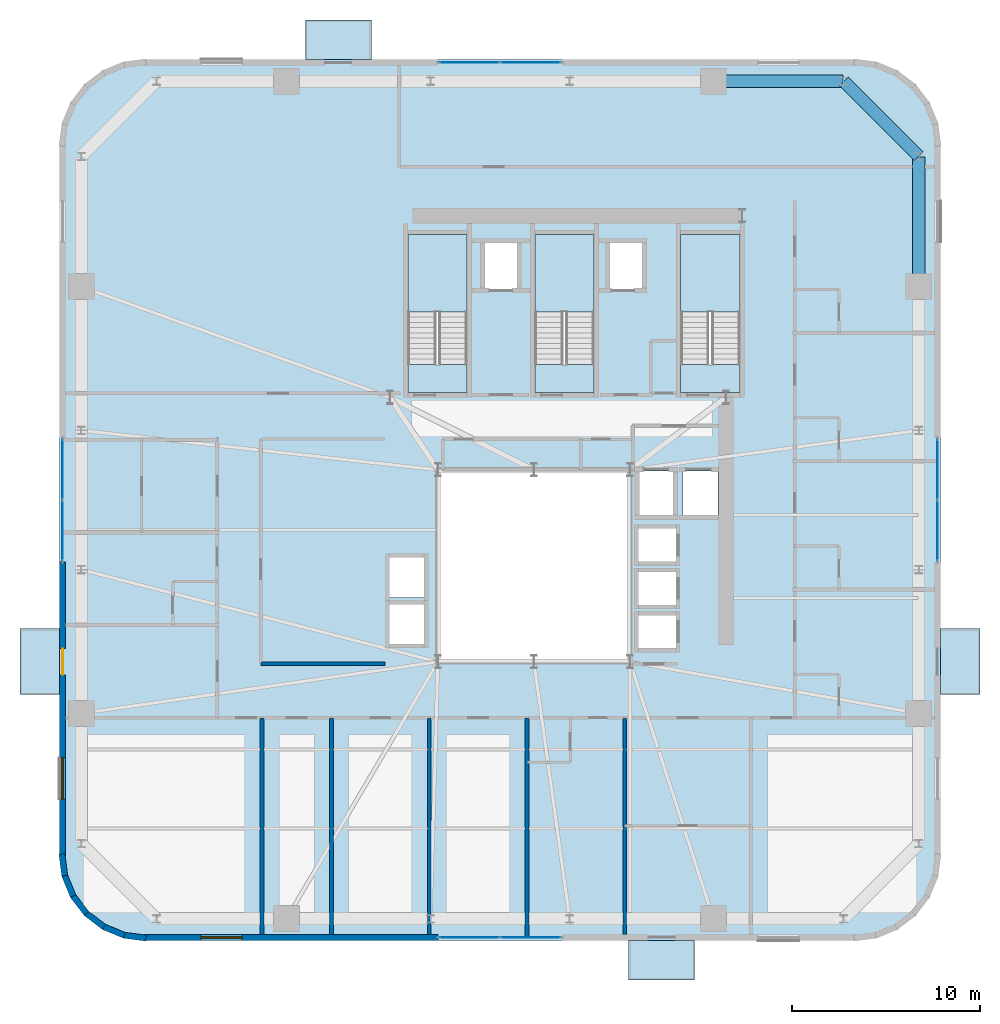
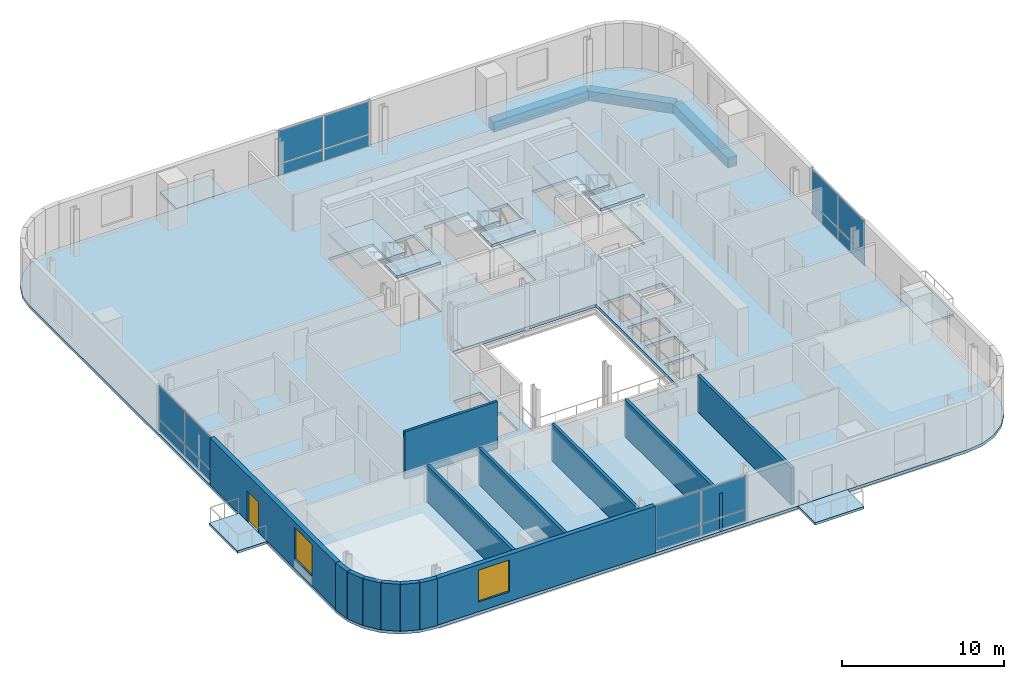
# One storey, part 7 of 16: 16 plates, 14 walls, 11 slabs, 3 beams, 2 windows, 1 door, 3 openings, 7 elements without a shape of their own.
"""IFC4 building model written with IfcOpenShell, lengths in metres."""

from ifc_helpers import new_model, si_unit, direction, frame, frame_2d, origin, origin_2d, place, context, subcontext, project, spatial, polyline, rectangle, outline, extrude, source, transform, mapped, material, layer, layer_set, material_profile, profile_set, type_object, element, fill, aggregate, save


model = new_model("IFC4")

# Units and contexts
model_context = context("Model", 3, precision=1e-05, world=origin(), true_north=direction((0.0, 1.0)))
body_context = subcontext(model_context, "Body", "Model", "MODEL_VIEW")
ifc_project = project(units=[si_unit("LENGTHUNIT", "METRE"), si_unit("AREAUNIT", "SQUARE_METRE"), si_unit("VOLUMEUNIT", "CUBIC_METRE"), si_unit("PLANEANGLEUNIT", "RADIAN"), si_unit("MASSUNIT", "GRAM", prefix="KILO")], contexts=[model_context])

# Site, building, storey
site_placement = place(None, origin())
site = spatial("IfcSite", under=ifc_project, at=site_placement, CompositionType="ELEMENT")
building_placement = place(site_placement, origin())
building = spatial("IfcBuilding", under=site, at=building_placement, Name="Vardaveli Station Tower", CompositionType="ELEMENT")
storey_placement = place(building_placement, frame((0.0, 0.0, 199.800048828125)))
storey = spatial("IfcBuildingStorey", under=building, at=storey_placement, Name="L51", CompositionType="ELEMENT", Elevation=199.800048828125)

# Beams
ifc_material_1 = material(Name="Precast concrete C45/55", Category="concrete")
ifc_material_profile = material_profile(ifc_material_1, rectangle(XDim=0.64990234375, YDim=0.75, at=origin_2d()), Name="LPB 650x750")
ifc_profile_set = profile_set([ifc_material_profile], Name="Precast concrete C45/55")
beam_type = type_object("IfcBeamType", Name="BM-LPB-750", PredefinedType="BEAM", material=ifc_profile_set)
shared_shape_1 = source(origin(), body_context, "Body", "SweptSolid", [
    extrude(rectangle(XDim=0.64990234375, YDim=0.75, at=origin_2d()), origin(), (0.0, 0.0, 1.0), 6.869873046875),
])
for number, where, z_axis, x_axis, name in (
    (1, (56.75, 36.56005859375, -0.594970703125), (0.0, 1.0, 0.0), (-1.0, 0.0, 0.0), "RBM-L51-10"),
    (2, (52.72998046875, 47.449951171875, -0.594970703125), (-1.0, 0.0, 0.0), (0.0, -1.0, 0.0), "RBM-L51-12"),
):
    element("IfcBeam", number, at=place(storey_placement, frame(where, z_axis=z_axis, x_axis=x_axis)), inside=storey, type_object=beam_type, Name=name, PredefinedType="BEAM", context=body_context, shape_type="MappedRepresentation", body=[
        mapped(shared_shape_1, transform((0.0, 0.0, 0.0), scale=1.0)),
    ])
shared_shape_2 = source(origin(), body_context, "Body", "SweptSolid", [
    extrude(rectangle(XDim=0.64990234375, YDim=0.75, at=origin_2d()), origin(), (0.0, 0.0, 1.0), 5.61669921875),
])
beam_placement = place(storey_placement, frame((56.73583984375, 43.464111328125, -0.594970703125), z_axis=(-0.707106781187, 0.707106781187, 0.0), x_axis=(-0.707106781187, -0.707106781187, 0.0)))
element("IfcBeam", 3, at=beam_placement, inside=storey, type_object=beam_type, Name="RBM-L51-11", PredefinedType="BEAM", context=body_context, shape_type="MappedRepresentation", body=[
    mapped(shared_shape_2, transform((0.0, 0.0, 0.0), scale=1.0)),
])

# Stair, slabs
ifc_material_2 = material(Name="Concrete C40/50", Category="concrete")
stair_type = type_object("IfcStairType", Name="STR-CORE-1500", PredefinedType="HALF_TURN_STAIR", material=ifc_material_2)
stair_1_placement = place(storey_placement, origin())
stair_1 = element("IfcStair", 4, at=stair_1_placement, inside=storey, type_object=stair_type, Name="L51 ST-1", PredefinedType="HALF_TURN_STAIR")
ifc_layer_1 = layer(ifc_material_2, 0.199951171875, Name="Concrete C40/50")
ifc_layer_set_1 = layer_set([ifc_layer_1], Name="Concrete C40/50")
slab_type_1 = type_object("IfcSlabType", Name="SLB-LAND-200", PredefinedType="LANDING", material=ifc_layer_set_1)
slab_1_placement = place(storey_placement, frame((0.0, 0.0, 1.675048828125)))
slab_1 = element("IfcSlab", 5, at=slab_1_placement, type_object=slab_type_1, Name="ST-1 landing 1", PredefinedType="LANDING", context=body_context, shape_type="SweptSolid", body=[
    extrude(outline(polyline([(32.75, 35.199951171875), (32.75, 39.300048828125), (29.60009765625, 39.300048828125), (29.60009765625, 35.199951171875), (32.75, 35.199951171875)])), origin(), (0.0, 0.0, 1.0), 0.199951171875),
])
slab_2_placement = place(storey_placement, frame((0.0, 0.0, 3.550048828125)))
slab_2 = element("IfcSlab", 6, at=slab_2_placement, type_object=slab_type_1, Name="ST-1 landing 2", PredefinedType="LANDING", context=body_context, shape_type="SweptSolid", body=[
    extrude(outline(polyline([(32.75, 30.89990234375), (32.75, 32.39990234375), (29.60009765625, 32.39990234375), (29.60009765625, 30.89990234375), (32.75, 30.89990234375)])), origin(), (0.0, 0.0, 1.0), 0.199951171875),
])
aggregate(stair_1, [slab_1, slab_2])

stair_2_placement = place(storey_placement, origin())
stair_2 = element("IfcStair", 7, at=stair_2_placement, inside=storey, type_object=stair_type, Name="L51 ST-2", PredefinedType="HALF_TURN_STAIR")
slab_3_placement = place(storey_placement, frame((0.0, 0.0, 1.675048828125)))
slab_3 = element("IfcSlab", 8, at=slab_3_placement, type_object=slab_type_1, Name="ST-2 landing 1", PredefinedType="LANDING", context=body_context, shape_type="SweptSolid", body=[
    extrude(outline(polyline([(39.5, 35.199951171875), (39.5, 39.300048828125), (36.35009765625, 39.300048828125), (36.35009765625, 35.199951171875), (39.5, 35.199951171875)])), origin(), (0.0, 0.0, 1.0), 0.199951171875),
])
slab_4_placement = place(storey_placement, frame((0.0, 0.0, 3.550048828125)))
slab_4 = element("IfcSlab", 9, at=slab_4_placement, type_object=slab_type_1, Name="ST-2 landing 2", PredefinedType="LANDING", context=body_context, shape_type="SweptSolid", body=[
    extrude(outline(polyline([(39.5, 30.89990234375), (39.5, 32.39990234375), (36.35009765625, 32.39990234375), (36.35009765625, 30.89990234375), (39.5, 30.89990234375)])), origin(), (0.0, 0.0, 1.0), 0.199951171875),
])
aggregate(stair_2, [slab_3, slab_4])

stair_3_placement = place(storey_placement, origin())
stair_3 = element("IfcStair", 10, at=stair_3_placement, inside=storey, type_object=stair_type, Name="L51 ST-3", PredefinedType="HALF_TURN_STAIR")
slab_5_placement = place(storey_placement, frame((0.0, 0.0, 1.675048828125)))
slab_5 = element("IfcSlab", 11, at=slab_5_placement, type_object=slab_type_1, Name="ST-3 landing 1", PredefinedType="LANDING", context=body_context, shape_type="SweptSolid", body=[
    extrude(outline(polyline([(47.25, 35.199951171875), (47.25, 39.300048828125), (44.10009765625, 39.300048828125), (44.10009765625, 35.199951171875), (47.25, 35.199951171875)])), origin(), (0.0, 0.0, 1.0), 0.199951171875),
])
slab_6_placement = place(storey_placement, frame((0.0, 0.0, 3.550048828125)))
slab_6 = element("IfcSlab", 12, at=slab_6_placement, type_object=slab_type_1, Name="ST-3 landing 2", PredefinedType="LANDING", context=body_context, shape_type="SweptSolid", body=[
    extrude(outline(polyline([(47.25, 30.89990234375), (47.25, 32.39990234375), (44.10009765625, 32.39990234375), (44.10009765625, 30.89990234375), (47.25, 30.89990234375)])), origin(), (0.0, 0.0, 1.0), 0.199951171875),
])
aggregate(stair_3, [slab_5, slab_6])

# Slabs
ifc_layer_2 = layer(ifc_material_1, 0.179931640625, Name="Precast concrete C45/55")
ifc_layer_set_2 = layer_set([ifc_layer_2], Name="Precast concrete C45/55")
slab_type_2 = type_object("IfcSlabType", Name="SLB-LOGGIA-180", PredefinedType="FLOOR", material=ifc_layer_set_2)
slab_7_placement = place(storey_placement, frame((0.0, 0.0, -0.179931640625)))
element("IfcSlab", 13, at=slab_7_placement, inside=storey, type_object=slab_type_2, Name="LOG-L51-S", PredefinedType="FLOOR", context=body_context, shape_type="SweptSolid", body=[
    extrude(outline(polyline([(41.339599609375, -0.300048828125), (44.839599609375, -0.300048828125), (44.839599609375, 1.800048828125), (41.339599609375, 1.800048828125), (41.339599609375, -0.300048828125)])), origin(), (0.0, 0.0, 1.0), 0.179931640625),
])
slab_8_placement = place(storey_placement, frame((0.0, 0.0, -0.179931640625)))
element("IfcSlab", 14, at=slab_8_placement, inside=storey, type_object=slab_type_2, Name="LOG-L51-N", PredefinedType="FLOOR", context=body_context, shape_type="SweptSolid", body=[
    extrude(outline(polyline([(24.160400390625, 48.60009765625), (27.660400390625, 48.60009765625), (27.660400390625, 50.699951171875), (24.160400390625, 50.699951171875), (24.160400390625, 48.60009765625)])), origin(), (0.0, 0.0, 1.0), 0.179931640625),
])
slab_9_placement = place(storey_placement, frame((0.0, 0.0, -0.179931640625)))
element("IfcSlab", 15, at=slab_9_placement, inside=storey, type_object=slab_type_2, Name="LOG-L51-W", PredefinedType="FLOOR", context=body_context, shape_type="SweptSolid", body=[
    extrude(outline(polyline([(9.0, 14.8603515625), (11.10009765625, 14.8603515625), (11.10009765625, 18.3603515625), (9.0, 18.3603515625), (9.0, 14.8603515625)])), origin(), (0.0, 0.0, 1.0), 0.179931640625),
])
slab_10_placement = place(storey_placement, frame((0.0, 0.0, -0.179931640625)))
element("IfcSlab", 16, at=slab_10_placement, inside=storey, type_object=slab_type_2, Name="LOG-L51-E", PredefinedType="FLOOR", context=body_context, shape_type="SweptSolid", body=[
    extrude(outline(polyline([(57.89990234375, 14.8603515625), (60.0, 14.8603515625), (60.0, 18.3603515625), (57.89990234375, 18.3603515625), (57.89990234375, 14.8603515625)])), origin(), (0.0, 0.0, 1.0), 0.179931640625),
])
ifc_layer_3 = layer(ifc_material_2, 0.219970703125, Name="Concrete C40/50")
ifc_layer_set_3 = layer_set([ifc_layer_3], Name="Concrete C40/50")
slab_type_3 = type_object("IfcSlabType", Name="SLB-TOW-220", PredefinedType="FLOOR", material=ifc_layer_set_3)
slab_11_placement = place(storey_placement, frame((0.0, 0.0, -0.219970703125)))
element("IfcSlab", 17, at=slab_11_placement, inside=storey, type_object=slab_type_3, Name="SLB-L51-MAIN", PredefinedType="FLOOR", context=body_context, shape_type="SweptSolid", body=[
    extrude(outline(polyline([(11.10009765625, 6.300048828125), (11.25341796875, 5.13525390625), (11.702880859375, 4.050048828125), (12.41796875, 3.117919921875), (13.35009765625, 2.40283203125), (14.435302734375, 1.953369140625), (15.60009765625, 1.800048828125), (53.39990234375, 1.800048828125), (54.564697265625, 1.953369140625), (55.64990234375, 2.40283203125), (56.58203125, 3.117919921875), (57.297119140625, 4.050048828125), (57.74658203125, 5.13525390625), (57.89990234375, 6.300048828125), (57.89990234375, 44.10009765625), (57.74658203125, 45.2646484375), (57.297119140625, 46.35009765625), (56.58203125, 47.281982421875), (55.64990234375, 47.9970703125), (54.564697265625, 48.44677734375), (53.39990234375, 48.60009765625), (15.60009765625, 48.60009765625), (14.435302734375, 48.44677734375), (13.35009765625, 47.9970703125), (12.41796875, 47.281982421875), (11.702880859375, 46.35009765625), (11.25341796875, 45.2646484375), (11.10009765625, 44.10009765625), (11.10009765625, 6.300048828125)]), holes=[polyline([(31.199951171875, 16.60009765625), (41.39990234375, 16.60009765625), (41.39990234375, 26.800048828125), (31.199951171875, 26.800048828125), (31.199951171875, 16.60009765625)]), polyline([(32.75, 30.89990234375), (32.75, 39.300048828125), (29.60009765625, 39.300048828125), (29.60009765625, 30.89990234375), (32.75, 30.89990234375)]), polyline([(39.5, 30.89990234375), (39.5, 39.300048828125), (36.35009765625, 39.300048828125), (36.35009765625, 30.89990234375), (39.5, 30.89990234375)]), polyline([(47.25, 30.89990234375), (47.25, 39.300048828125), (44.10009765625, 39.300048828125), (44.10009765625, 30.89990234375), (47.25, 30.89990234375)]), polyline([(33.659912109375, 36.409912109375), (35.43994140625, 36.409912109375), (35.43994140625, 38.889892578125), (33.659912109375, 38.889892578125), (33.659912109375, 36.409912109375)]), polyline([(40.31005859375, 36.409912109375), (42.090087890625, 36.409912109375), (42.090087890625, 38.889892578125), (40.31005859375, 38.889892578125), (40.31005859375, 36.409912109375)]), polyline([(41.81005859375, 21.885009765625), (43.889892578125, 21.885009765625), (43.889892578125, 23.715087890625), (41.81005859375, 23.715087890625), (41.81005859375, 21.885009765625)]), polyline([(41.81005859375, 19.5849609375), (43.889892578125, 19.5849609375), (43.889892578125, 21.4150390625), (41.81005859375, 21.4150390625), (41.81005859375, 19.5849609375)]), polyline([(41.81005859375, 17.284912109375), (43.889892578125, 17.284912109375), (43.889892578125, 19.114990234375), (41.81005859375, 19.114990234375), (41.81005859375, 17.284912109375)]), polyline([(28.5849609375, 17.510009765625), (30.514892578125, 17.510009765625), (30.514892578125, 19.68994140625), (28.5849609375, 19.68994140625), (28.5849609375, 17.510009765625)]), polyline([(28.5849609375, 20.010009765625), (30.514892578125, 20.010009765625), (30.514892578125, 22.18994140625), (28.5849609375, 22.18994140625), (28.5849609375, 20.010009765625)]), polyline([(41.860107421875, 24.360107421875), (43.739990234375, 24.360107421875), (43.739990234375, 26.739990234375), (41.860107421875, 26.739990234375), (41.860107421875, 24.360107421875)]), polyline([(44.2099609375, 24.360107421875), (46.090087890625, 24.360107421875), (46.090087890625, 26.739990234375), (44.2099609375, 26.739990234375), (44.2099609375, 24.360107421875)])]), origin(), (0.0, 0.0, 1.0), 0.219970703125),
])

# Curtain wall, plates
ifc_material_3 = material(Name="Travertine stone and solar-control glass", Category="masonry")
curtain_wall_type = type_object("IfcCurtainWallType", Name="CW-SYS-5", PredefinedType="NOTDEFINED", material=ifc_material_3)
curtain_wall_1_placement = place(storey_placement, origin())
curtain_wall_1 = element("IfcCurtainWall", 18, at=curtain_wall_1_placement, inside=storey, type_object=curtain_wall_type, Name="CW-L51-S", PredefinedType="NOTDEFINED")
ifc_material_4 = material(Name="Double-glazed low-E solar-control glass", Category="glass")
ifc_layer_4 = layer(ifc_material_4, 0.031982421875, Name="Double-glazed low-E solar-control glass")
ifc_layer_set_4 = layer_set([ifc_layer_4], Name="Double-glazed low-E solar-control glass")
plate_type = type_object("IfcPlateType", Name="CW-SYS-5-PAN", PredefinedType="CURTAIN_PANEL", material=ifc_layer_set_4)
shared_shape_3 = source(origin(), body_context, "Body", "SweptSolid", [
    extrude(rectangle(XDim=3.179931640625, YDim=0.031982421875, at=origin_2d()), origin(), (0.0, 0.0, 1.0), 0.830078125),
])
plate_1_placement = place(storey_placement, frame((32.8701171875, 1.9599609375, 0.079833984375), z_axis=(0.0, 0.0, 1.0), x_axis=(1.0, 0.0, 0.0)))
plate_1 = element("IfcPlate", 19, at=plate_1_placement, type_object=plate_type, Name="CW-5 panel 1.1", PredefinedType="CURTAIN_PANEL", context=body_context, shape_type="MappedRepresentation", body=[
    mapped(shared_shape_3, transform((0.0, 0.0, 0.0), scale=1.0)),
])
plate_2_placement = place(storey_placement, frame((36.1298828125, 1.9599609375, 0.079833984375), z_axis=(0.0, 0.0, 1.0), x_axis=(1.0, 0.0, 0.0)))
plate_2 = element("IfcPlate", 20, at=plate_2_placement, type_object=plate_type, Name="CW-5 panel 2.1", PredefinedType="CURTAIN_PANEL", context=body_context, shape_type="MappedRepresentation", body=[
    mapped(shared_shape_3, transform((0.0, 0.0, 0.0), scale=1.0)),
])

curtain_wall_2_placement = place(storey_placement, origin())
curtain_wall_2 = element("IfcCurtainWall", 21, at=curtain_wall_2_placement, inside=storey, type_object=curtain_wall_type, Name="CW-L51-N", PredefinedType="NOTDEFINED")
plate_3_placement = place(storey_placement, frame((36.1298828125, 48.43994140625, 0.079833984375), z_axis=(0.0, 0.0, 1.0), x_axis=(-1.0, 0.0, 0.0)))
plate_3 = element("IfcPlate", 22, at=plate_3_placement, type_object=plate_type, Name="CW-5 panel 1.1", PredefinedType="CURTAIN_PANEL", context=body_context, shape_type="MappedRepresentation", body=[
    mapped(shared_shape_3, transform((0.0, 0.0, 0.0), scale=1.0)),
])
plate_4_placement = place(storey_placement, frame((32.8701171875, 48.43994140625, 0.079833984375), z_axis=(0.0, 0.0, 1.0), x_axis=(-1.0, 0.0, 0.0)))
plate_4 = element("IfcPlate", 23, at=plate_4_placement, type_object=plate_type, Name="CW-5 panel 2.1", PredefinedType="CURTAIN_PANEL", context=body_context, shape_type="MappedRepresentation", body=[
    mapped(shared_shape_3, transform((0.0, 0.0, 0.0), scale=1.0)),
])

curtain_wall_3_placement = place(storey_placement, origin())
curtain_wall_3 = element("IfcCurtainWall", 24, at=curtain_wall_3_placement, inside=storey, type_object=curtain_wall_type, Name="CW-L51-W", PredefinedType="NOTDEFINED")
plate_5_placement = place(storey_placement, frame((11.260009765625, 26.830078125, 0.079833984375), z_axis=(0.0, 0.0, 1.0), x_axis=(0.0, -1.0, 0.0)))
plate_5 = element("IfcPlate", 25, at=plate_5_placement, type_object=plate_type, Name="CW-5 panel 1.1", PredefinedType="CURTAIN_PANEL", context=body_context, shape_type="MappedRepresentation", body=[
    mapped(shared_shape_3, transform((0.0, 0.0, 0.0), scale=1.0)),
])
plate_6_placement = place(storey_placement, frame((11.260009765625, 23.570068359375, 0.079833984375), z_axis=(0.0, 0.0, 1.0), x_axis=(0.0, -1.0, 0.0)))
plate_6 = element("IfcPlate", 26, at=plate_6_placement, type_object=plate_type, Name="CW-5 panel 2.1", PredefinedType="CURTAIN_PANEL", context=body_context, shape_type="MappedRepresentation", body=[
    mapped(shared_shape_3, transform((0.0, 0.0, 0.0), scale=1.0)),
])

curtain_wall_4_placement = place(storey_placement, origin())
curtain_wall_4 = element("IfcCurtainWall", 27, at=curtain_wall_4_placement, inside=storey, type_object=curtain_wall_type, Name="CW-L51-E", PredefinedType="NOTDEFINED")
plate_7_placement = place(storey_placement, frame((57.739990234375, 23.570068359375, 0.079833984375), z_axis=(0.0, 0.0, 1.0), x_axis=(0.0, 1.0, 0.0)))
plate_7 = element("IfcPlate", 28, at=plate_7_placement, type_object=plate_type, Name="CW-5 panel 1.1", PredefinedType="CURTAIN_PANEL", context=body_context, shape_type="MappedRepresentation", body=[
    mapped(shared_shape_3, transform((0.0, 0.0, 0.0), scale=1.0)),
])
plate_8_placement = place(storey_placement, frame((57.739990234375, 26.830078125, 0.079833984375), z_axis=(0.0, 0.0, 1.0), x_axis=(0.0, 1.0, 0.0)))
plate_8 = element("IfcPlate", 29, at=plate_8_placement, type_object=plate_type, Name="CW-5 panel 2.1", PredefinedType="CURTAIN_PANEL", context=body_context, shape_type="MappedRepresentation", body=[
    mapped(shared_shape_3, transform((0.0, 0.0, 0.0), scale=1.0)),
])

# Plate
shared_shape_4 = source(origin(), body_context, "Body", "SweptSolid", [
    extrude(rectangle(XDim=3.179931640625, YDim=0.031982421875, at=origin_2d()), origin(), (0.0, 0.0, 1.0), 2.4599609375),
])
plate_9_placement = place(storey_placement, frame((32.8701171875, 1.9599609375, 0.989990234375), z_axis=(0.0, 0.0, 1.0), x_axis=(1.0, 0.0, 0.0)))
plate_9 = element("IfcPlate", 30, at=plate_9_placement, type_object=plate_type, Name="CW-5 panel 1.2", PredefinedType="CURTAIN_PANEL", context=body_context, shape_type="MappedRepresentation", body=[
    mapped(shared_shape_4, transform((0.0, 0.0, 0.0), scale=1.0)),
])

plate_10_placement = place(storey_placement, frame((36.1298828125, 1.9599609375, 0.989990234375), z_axis=(0.0, 0.0, 1.0), x_axis=(1.0, 0.0, 0.0)))
plate_10 = element("IfcPlate", 31, at=plate_10_placement, type_object=plate_type, Name="CW-5 panel 2.2", PredefinedType="CURTAIN_PANEL", context=body_context, shape_type="MappedRepresentation", body=[
    mapped(shared_shape_4, transform((0.0, 0.0, 0.0), scale=1.0)),
])

aggregate(curtain_wall_1, [plate_1, plate_9, plate_2, plate_10])

plate_11_placement = place(storey_placement, frame((36.1298828125, 48.43994140625, 0.989990234375), z_axis=(0.0, 0.0, 1.0), x_axis=(-1.0, 0.0, 0.0)))
plate_11 = element("IfcPlate", 32, at=plate_11_placement, type_object=plate_type, Name="CW-5 panel 1.2", PredefinedType="CURTAIN_PANEL", context=body_context, shape_type="MappedRepresentation", body=[
    mapped(shared_shape_4, transform((0.0, 0.0, 0.0), scale=1.0)),
])

plate_12_placement = place(storey_placement, frame((32.8701171875, 48.43994140625, 0.989990234375), z_axis=(0.0, 0.0, 1.0), x_axis=(-1.0, 0.0, 0.0)))
plate_12 = element("IfcPlate", 33, at=plate_12_placement, type_object=plate_type, Name="CW-5 panel 2.2", PredefinedType="CURTAIN_PANEL", context=body_context, shape_type="MappedRepresentation", body=[
    mapped(shared_shape_4, transform((0.0, 0.0, 0.0), scale=1.0)),
])

aggregate(curtain_wall_2, [plate_3, plate_11, plate_4, plate_12])

plate_13_placement = place(storey_placement, frame((11.260009765625, 26.830078125, 0.989990234375), z_axis=(0.0, 0.0, 1.0), x_axis=(0.0, -1.0, 0.0)))
plate_13 = element("IfcPlate", 34, at=plate_13_placement, type_object=plate_type, Name="CW-5 panel 1.2", PredefinedType="CURTAIN_PANEL", context=body_context, shape_type="MappedRepresentation", body=[
    mapped(shared_shape_4, transform((0.0, 0.0, 0.0), scale=1.0)),
])

plate_14_placement = place(storey_placement, frame((11.260009765625, 23.570068359375, 0.989990234375), z_axis=(0.0, 0.0, 1.0), x_axis=(0.0, -1.0, 0.0)))
plate_14 = element("IfcPlate", 35, at=plate_14_placement, type_object=plate_type, Name="CW-5 panel 2.2", PredefinedType="CURTAIN_PANEL", context=body_context, shape_type="MappedRepresentation", body=[
    mapped(shared_shape_4, transform((0.0, 0.0, 0.0), scale=1.0)),
])

aggregate(curtain_wall_3, [plate_5, plate_13, plate_6, plate_14])

plate_15_placement = place(storey_placement, frame((57.739990234375, 23.570068359375, 0.989990234375), z_axis=(0.0, 0.0, 1.0), x_axis=(0.0, 1.0, 0.0)))
plate_15 = element("IfcPlate", 36, at=plate_15_placement, type_object=plate_type, Name="CW-5 panel 1.2", PredefinedType="CURTAIN_PANEL", context=body_context, shape_type="MappedRepresentation", body=[
    mapped(shared_shape_4, transform((0.0, 0.0, 0.0), scale=1.0)),
])

plate_16_placement = place(storey_placement, frame((57.739990234375, 26.830078125, 0.989990234375), z_axis=(0.0, 0.0, 1.0), x_axis=(0.0, 1.0, 0.0)))
plate_16 = element("IfcPlate", 37, at=plate_16_placement, type_object=plate_type, Name="CW-5 panel 2.2", PredefinedType="CURTAIN_PANEL", context=body_context, shape_type="MappedRepresentation", body=[
    mapped(shared_shape_4, transform((0.0, 0.0, 0.0), scale=1.0)),
])

aggregate(curtain_wall_4, [plate_7, plate_15, plate_8, plate_16])

# Wall, opening, window
ifc_layer_5 = layer(ifc_material_1, 0.320068359375, Name="Precast concrete C45/55")
ifc_layer_set_5 = layer_set([ifc_layer_5], Name="Precast concrete C45/55")
wall_type_1 = type_object("IfcWallType", Name="WAL-EXT-STONE-320", PredefinedType="SOLIDWALL", material=ifc_layer_set_5)
shared_shape_5 = source(origin(), body_context, "Body", "SweptSolid", [
    extrude(rectangle(XDim=15.599853515625, YDim=0.320068359375, at=frame_2d((7.7998046875, 0.0))), origin(), (0.0, 0.0, 1.0), 3.530029296875),
])
wall_1_placement = place(storey_placement, frame((15.60009765625, 1.9599609375, 0.0), z_axis=(0.0, 0.0, 1.0), x_axis=(1.0, 0.0, 0.0)))
wall_1 = element("IfcWall", 38, at=wall_1_placement, inside=storey, type_object=wall_type_1, Name="EW-L51-S1", PredefinedType="SOLIDWALL", context=body_context, shape_type="MappedRepresentation", body=[
    mapped(shared_shape_5, transform((0.0, 0.0, 0.0), scale=1.0)),
])
shared_shape_6 = source(origin(), body_context, "Body", "SweptSolid", [
    extrude(rectangle(XDim=2.199951171875, YDim=2.39990234375, at=frame_2d((1.10009765625, 1.199951171875))), frame((0.0, 0.169921875, 0.0), z_axis=(0.0, -1.0, 0.0), x_axis=(1.0, 0.0, 0.0)), (0.0, 0.0, 1.0), 0.340087890625),
])
opening_1_placement = place(wall_1_placement, frame((3.0048828125, 0.0, 0.719970703125)))
opening_1 = element("IfcOpeningElement", 39, at=opening_1_placement, cuts=wall_1, Name="Opening W-03", PredefinedType="OPENING", context=body_context, shape_type="MappedRepresentation", body=[
    mapped(shared_shape_6, transform((0.0, 0.0, 0.0), scale=1.0)),
])
ifc_material_5 = material(Name="Low-E solar-control glass", Category="glass")
window_type = type_object("IfcWindowType", Name="WIN-LOG-2200x2400", PartitioningType="SINGLE_PANEL", PredefinedType="WINDOW", material=ifc_material_5)
shared_shape_7 = source(origin(), body_context, "Body", "SweptSolid", [
    extrude(rectangle(XDim=2.199951171875, YDim=2.39990234375, at=frame_2d((1.10009765625, 1.199951171875))), frame((0.0, 0.030029296875, 0.0), z_axis=(0.0, -1.0, 0.0), x_axis=(1.0, 0.0, 0.0)), (0.0, 0.0, 1.0), 0.06005859375),
])
window_1_placement = place(opening_1_placement, origin())
window_1 = element("IfcWindow", 40, at=window_1_placement, inside=storey, type_object=window_type, Name="WN-L51-S1", OverallHeight=2.39990234375, OverallWidth=2.199951171875, PartitioningType="SINGLE_PANEL", PredefinedType="WINDOW", context=body_context, shape_type="MappedRepresentation", body=[
    mapped(shared_shape_7, transform((0.0, 0.0, 0.0), scale=1.0)),
])
fill(opening_1, window_1)

# Wall, openings, door, window
wall_2_placement = place(storey_placement, frame((11.260009765625, 21.89990234375, 0.0), z_axis=(0.0, 0.0, 1.0), x_axis=(0.0, -1.0, 0.0)))
wall_2 = element("IfcWall", 41, at=wall_2_placement, inside=storey, type_object=wall_type_1, Name="EW-L51-W2", PredefinedType="SOLIDWALL", context=body_context, shape_type="MappedRepresentation", body=[
    mapped(shared_shape_5, transform((0.0, 0.0, 0.0), scale=1.0)),
])
shared_shape_8 = source(origin(), body_context, "Body", "SweptSolid", [
    extrude(rectangle(XDim=1.39990234375, YDim=2.300048828125, at=frame_2d((0.699951171875, 1.14990234375))), frame((0.0, 0.169921875, 0.0), z_axis=(0.0, -1.0, 0.0), x_axis=(1.0, 0.0, 0.0)), (0.0, 0.0, 1.0), 0.340087890625),
])
opening_2_placement = place(wall_2_placement, frame((4.589599609375, 0.0, 0.0)))
opening_2 = element("IfcOpeningElement", 42, at=opening_2_placement, cuts=wall_2, Name="Opening D-09", PredefinedType="OPENING", context=body_context, shape_type="MappedRepresentation", body=[
    mapped(shared_shape_8, transform((0.0, 0.0, 0.0), scale=1.0)),
])
opening_3_placement = place(wall_2_placement, frame((10.39501953125, 0.0, 0.719970703125)))
opening_3 = element("IfcOpeningElement", 43, at=opening_3_placement, cuts=wall_2, Name="Opening W-03", PredefinedType="OPENING", context=body_context, shape_type="MappedRepresentation", body=[
    mapped(shared_shape_6, transform((0.0, 0.0, 0.0), scale=1.0)),
])
ifc_material_6 = material(Name="Thermally broken aluminium glass", Category="aluminium")
door_type = type_object("IfcDoorType", Name="DR-LOG-1400x2300", OperationType="DOUBLE_DOOR_SLIDING", PredefinedType="DOOR", material=ifc_material_6)
shared_shape_9 = source(origin(), body_context, "Body", "SweptSolid", [
    extrude(rectangle(XDim=1.39990234375, YDim=2.300048828125, at=frame_2d((0.699951171875, 1.14990234375))), frame((0.0, 0.02490234375, 0.0), z_axis=(0.0, -1.0, 0.0), x_axis=(1.0, 0.0, 0.0)), (0.0, 0.0, 1.0), 0.050048828125),
])
door_placement = place(opening_2_placement, frame((1.39990234375, 0.0, 0.0), z_axis=(0.0, 0.0, 1.0), x_axis=(-1.0, 0.0, 0.0)))
door = element("IfcDoor", 44, at=door_placement, inside=storey, type_object=door_type, Name="DLG-L51-W", OperationType="DOUBLE_DOOR_SLIDING", OverallHeight=2.300048828125, OverallWidth=1.39990234375, PredefinedType="DOOR", context=body_context, shape_type="MappedRepresentation", body=[
    mapped(shared_shape_9, transform((0.0, 0.0, 0.0), scale=1.0)),
])
fill(opening_2, door)
window_2_placement = place(opening_3_placement, origin())
window_2 = element("IfcWindow", 45, at=window_2_placement, inside=storey, type_object=window_type, Name="WN-L51-W2", OverallHeight=2.39990234375, OverallWidth=2.199951171875, PartitioningType="SINGLE_PANEL", PredefinedType="WINDOW", context=body_context, shape_type="MappedRepresentation", body=[
    mapped(shared_shape_7, transform((0.0, 0.0, 0.0), scale=1.0)),
])
fill(opening_3, window_2)

# Walls
shared_shape_10 = source(origin(), body_context, "Body", "SweptSolid", [
    extrude(rectangle(XDim=1.170654296875, YDim=0.320068359375, at=frame_2d((0.58544921875, 0.0))), origin(), (0.0, 0.0, 1.0), 3.530029296875),
])
wall_3_placement = place(storey_placement, frame((11.224365234375, 6.400634765625, 0.0), z_axis=(0.0, 0.0, 1.0), x_axis=(0.128269133229, -0.991739395941, 0.0)))
element("IfcWall", 46, at=wall_3_placement, inside=storey, type_object=wall_type_1, Name="EW-L51-CR1-1", PredefinedType="SOLIDWALL", context=body_context, shape_type="MappedRepresentation", body=[
    mapped(shared_shape_10, transform((0.0, 0.0, 0.0), scale=1.0)),
])
shared_shape_11 = source(origin(), body_context, "Body", "SweptSolid", [
    extrude(rectangle(XDim=1.1689453125, YDim=0.320068359375, at=frame_2d((0.58447265625, 0.0))), origin(), (0.0, 0.0, 1.0), 3.530029296875),
])
for number, where, z_axis, x_axis, name in (
    (47, (11.37451171875, 5.23974609375, 0.0), (0.0, 0.0, 1.0), (0.381127904695, -0.924522320046, 0.0), "EW-L51-CR1-2"),
    (48, (11.820068359375, 4.158935546875, 0.0), (0.0, 0.0, 1.0), (0.608387696831, -0.793639975269, 0.0), "EW-L51-CR1-3"),
):
    element("IfcWall", number, at=place(storey_placement, frame(where, z_axis=z_axis, x_axis=x_axis)), inside=storey, type_object=wall_type_1, Name=name, PredefinedType="SOLIDWALL", context=body_context, shape_type="MappedRepresentation", body=[
        mapped(shared_shape_11, transform((0.0, 0.0, 0.0), scale=1.0)),
    ])
shared_shape_12 = source(origin(), body_context, "Body", "SweptSolid", [
    extrude(rectangle(XDim=1.168701171875, YDim=0.320068359375, at=frame_2d((0.58447265625, 0.0))), origin(), (0.0, 0.0, 1.0), 3.530029296875),
])
wall_4_placement = place(storey_placement, frame((12.53125, 3.231201171875, 0.0), z_axis=(0.0, 0.0, 1.0), x_axis=(0.793663520347, -0.608356981114, 0.0)))
element("IfcWall", 49, at=wall_4_placement, inside=storey, type_object=wall_type_1, Name="EW-L51-CR1-4", PredefinedType="SOLIDWALL", context=body_context, shape_type="MappedRepresentation", body=[
    mapped(shared_shape_12, transform((0.0, 0.0, 0.0), scale=1.0)),
])
shared_shape_13 = source(origin(), body_context, "Body", "SweptSolid", [
    extrude(rectangle(XDim=1.16943359375, YDim=0.320068359375, at=frame_2d((0.584716796875, 0.0))), origin(), (0.0, 0.0, 1.0), 3.530029296875),
])
wall_5_placement = place(storey_placement, frame((13.458740234375, 2.520263671875, 0.0), z_axis=(0.0, 0.0, 1.0), x_axis=(0.924479075121, -0.381232789334, 0.0)))
element("IfcWall", 50, at=wall_5_placement, inside=storey, type_object=wall_type_1, Name="EW-L51-CR1-5", PredefinedType="SOLIDWALL", context=body_context, shape_type="MappedRepresentation", body=[
    mapped(shared_shape_13, transform((0.0, 0.0, 0.0), scale=1.0)),
])
shared_shape_14 = source(origin(), body_context, "Body", "SweptSolid", [
    extrude(rectangle(XDim=1.170166015625, YDim=0.320068359375, at=frame_2d((0.5849609375, 0.0))), origin(), (0.0, 0.0, 1.0), 3.530029296875),
])
wall_6_placement = place(storey_placement, frame((14.539794921875, 2.074462890625, 0.0), z_axis=(0.0, 0.0, 1.0), x_axis=(0.991762485493, -0.128090485085, 0.0)))
element("IfcWall", 51, at=wall_6_placement, inside=storey, type_object=wall_type_1, Name="EW-L51-CR1-6", PredefinedType="SOLIDWALL", context=body_context, shape_type="MappedRepresentation", body=[
    mapped(shared_shape_14, transform((0.0, 0.0, 0.0), scale=1.0)),
])
ifc_material_7 = material(Name="Acoustic twin-stud gypsum partition")
ifc_layer_6 = layer(ifc_material_7, 0.199951171875, Name="Acoustic twin-stud gypsum partition")
ifc_layer_set_6 = layer_set([ifc_layer_6], Name="Acoustic twin-stud gypsum partition")
wall_type_2 = type_object("IfcWallType", Name="WAL-PARTY-200", PredefinedType="PARTITIONING", material=ifc_layer_set_6)
shared_shape_15 = source(origin(), body_context, "Body", "SweptSolid", [
    extrude(rectangle(XDim=11.5078125, YDim=0.199951171875, at=frame_2d((5.75390625, 0.0))), origin(), (0.0, 0.0, 1.0), 2.77197265625),
])
for number, where, z_axis, x_axis, name in (
    (52, (21.85009765625, 2.1220703125, 0.0), (0.0, 0.0, 1.0), (0.0, 1.0, 0.0), "W-L51-PS1"),
    (53, (25.5439453125, 2.1220703125, 0.0), (0.0, 0.0, 1.0), (0.0, 1.0, 0.0), "W-L51-PS2"),
    (54, (30.738037109375, 2.1220703125, 0.0), (0.0, 0.0, 1.0), (0.0, 1.0, 0.0), "W-L51-PS3"),
    (55, (41.1259765625, 2.1220703125, 0.0), (0.0, 0.0, 1.0), (0.0, 1.0, 0.0), "W-L51-PS5"),
):
    element("IfcWall", number, at=place(storey_placement, frame(where, z_axis=z_axis, x_axis=x_axis)), inside=storey, type_object=wall_type_2, Name=name, PredefinedType="PARTITIONING", context=body_context, shape_type="MappedRepresentation", body=[
        mapped(shared_shape_15, transform((0.0, 0.0, 0.0), scale=1.0)),
    ])
shared_shape_16 = source(origin(), body_context, "Body", "SweptSolid", [
    extrude(rectangle(XDim=11.699951171875, YDim=0.199951171875, at=frame_2d((5.85009765625, 0.0))), origin(), (0.0, 0.0, 1.0), 2.77197265625),
])
wall_7_placement = place(storey_placement, frame((35.931884765625, 1.929931640625, 0.0), z_axis=(0.0, 0.0, 1.0), x_axis=(0.0, 1.0, 0.0)))
element("IfcWall", 56, at=wall_7_placement, inside=storey, type_object=wall_type_2, Name="W-L51-PS4", PredefinedType="PARTITIONING", context=body_context, shape_type="MappedRepresentation", body=[
    mapped(shared_shape_16, transform((0.0, 0.0, 0.0), scale=1.0)),
])
ifc_material_8 = material(Name="Fire-rated gypsum stud partition")
ifc_layer_7 = layer(ifc_material_8, 0.179931640625, Name="Fire-rated gypsum stud partition")
ifc_layer_set_7 = layer_set([ifc_layer_7], Name="Fire-rated gypsum stud partition")
wall_type_3 = type_object("IfcWallType", Name="WAL-CORR-180", PredefinedType="PARTITIONING", material=ifc_layer_set_7)
shared_shape_17 = source(origin(), body_context, "Body", "SweptSolid", [
    extrude(rectangle(XDim=6.599853515625, YDim=0.179931640625, at=frame_2d((3.2998046875, 0.0))), origin(), (0.0, 0.0, 1.0), 3.530029296875),
])
wall_8_placement = place(storey_placement, frame((21.800048828125, 16.5, 0.0), z_axis=(0.0, 0.0, 1.0), x_axis=(1.0, 0.0, 0.0)))
element("IfcWall", 57, at=wall_8_placement, inside=storey, type_object=wall_type_3, Name="W-L51-ATW-S", PredefinedType="PARTITIONING", context=body_context, shape_type="MappedRepresentation", body=[
    mapped(shared_shape_17, transform((0.0, 0.0, 0.0), scale=1.0)),
])

save(model, "model.ifc")
